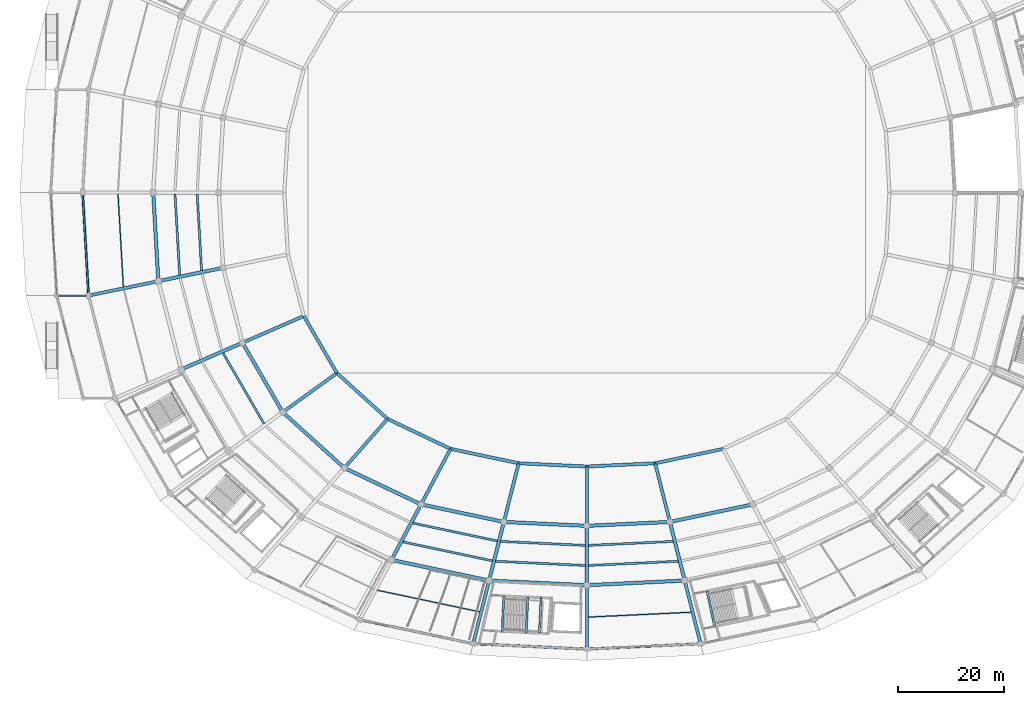
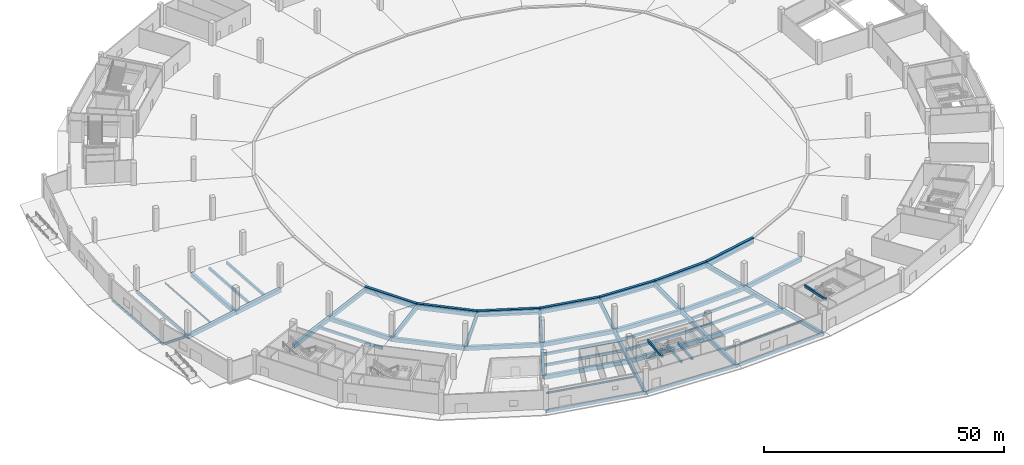
# One storey, part 2 of 48: 64 beams.
"""IFC4 building model written with IfcOpenShell, lengths in metres."""

from ifc_helpers import new_model, si_unit, direction, frame, origin, origin_2d, place, context, subcontext, project, spatial, rectangle, i_section, extrude, material, material_profile, profile_set, type_object, element, save


model = new_model("IFC4")

# Units and contexts
model_context = context("Model", 3, precision=1e-05, world=origin(), true_north=direction((0.0, 1.0)))
body_context = subcontext(model_context, "Body", "Model", "MODEL_VIEW")
ifc_project = project(units=[si_unit("LENGTHUNIT", "METRE"), si_unit("AREAUNIT", "SQUARE_METRE"), si_unit("VOLUMEUNIT", "CUBIC_METRE"), si_unit("PLANEANGLEUNIT", "RADIAN"), si_unit("MASSUNIT", "GRAM", prefix="KILO")], contexts=[model_context])

# Site, building, storey
site_placement = place(None, origin())
site = spatial("IfcSite", under=ifc_project, at=site_placement, CompositionType="ELEMENT")
building_placement = place(site_placement, origin())
building = spatial("IfcBuilding", under=site, at=building_placement, Name="Kazemori Nagisa Stadium", CompositionType="ELEMENT")
storey_placement = place(building_placement, origin())
storey = spatial("IfcBuildingStorey", under=building, at=storey_placement, Name="L00", CompositionType="ELEMENT", Elevation=0.0)

# Beams
ifc_material_1 = material(Name="Steel SN490B", Category="steel")
ifc_material_profile_1 = material_profile(ifc_material_1, i_section(OverallWidth=0.300048828125, OverallDepth=0.587890625, WebThickness=0.011962890625, FlangeThickness=0.02001953125, FilletRadius=0.012939453125, at=origin_2d()), Name="H-588x300x12x20")
ifc_profile_set_1 = profile_set([ifc_material_profile_1], Name="Steel SN490B")
beam_type_1 = type_object("IfcBeamType", Name="Beam_BG-H588", PredefinedType="BEAM", material=ifc_profile_set_1)
beam_1_placement = place(storey_placement, frame((29.119140625, 82.602294921875, -0.593994140625), z_axis=(-1.0, 0.0, 0.0), x_axis=(0.0, -1.0, 0.0)))
element("IfcBeam", 1, at=beam_1_placement, inside=storey, type_object=beam_type_1, Name="Boulevard radial girder BG-H588 L00 R4-16", PredefinedType="BEAM", context=body_context, shape_type="SweptSolid", body=[
    extrude(i_section(OverallWidth=0.300048828125, OverallDepth=0.587890625, WebThickness=0.011962890625, FlangeThickness=0.02001953125, FilletRadius=0.012939453125, at=origin_2d()), origin(), (0.0, 0.0, 1.0), 6.0),
])
ifc_material_2 = material(Name="Concrete C40/50 (Fc42)", Category="concrete")
ifc_material_profile_2 = material_profile(ifc_material_2, rectangle(XDim=0.39990234375, YDim=0.60009765625, at=origin_2d()), Name="RC-BM-400x600")
ifc_profile_set_2 = profile_set([ifc_material_profile_2], Name="Concrete C40/50 (Fc42)")
beam_type_2 = type_object("IfcBeamType", Name="Beam_BG-LND400X600", PredefinedType="BEAM", material=ifc_profile_set_2)
for number, where, z_axis, x_axis, name in (
    (2, (111.877685546875, 25.81396484375, 2.389892578125), (-0.047220656191, -0.998884482625, 0.0), (0.998884482625, -0.047220656191, 0.0), "Core stair mid-landing girder ST12-L00-1"),
    (3, (114.375, 25.69580078125, 2.389892578125), (-0.047220656191, -0.998884482625, 0.0), (0.998884482625, -0.047220656191, 0.0), "Core stair mid-landing girder ST12-L00-2"),
    (4, (107.352783203125, 26.02783203125, 5.199951171875), (-0.047220656191, -0.998884482625, 0.0), (0.998884482625, -0.047220656191, 0.0), "Core stair arrival header girder ST12-L00"),
):
    element("IfcBeam", number, at=place(storey_placement, frame(where, z_axis=z_axis, x_axis=x_axis)), inside=storey, type_object=beam_type_2, Name=name, PredefinedType="BEAM", context=body_context, shape_type="SweptSolid", body=[
        extrude(rectangle(XDim=0.39990234375, YDim=0.60009765625, at=origin_2d()), origin(), (0.0, 0.0, 1.0), 6.70068359375),
    ])
beam_2_placement = place(storey_placement, frame((145.652587890625, 26.9404296875, 5.199951171875), z_axis=(0.206997403527, -0.978341491982, 0.0), x_axis=(0.978341491982, 0.206997403527, 0.0)))
element("IfcBeam", 5, at=beam_2_placement, inside=storey, type_object=beam_type_2, Name="Core stair arrival header girder ST06-L00", PredefinedType="BEAM", context=body_context, shape_type="SweptSolid", body=[
    extrude(rectangle(XDim=0.39990234375, YDim=0.60009765625, at=origin_2d()), origin(), (0.0, 0.0, 1.0), 6.831298828125),
])
ifc_material_profile_3 = material_profile(ifc_material_2, rectangle(XDim=0.60009765625, YDim=0.949951171875, at=origin_2d()), Name="RC-BM-600x950")
ifc_profile_set_3 = profile_set([ifc_material_profile_3], Name="Concrete C40/50 (Fc42)")
beam_type_3 = type_object("IfcBeamType", Name="Beam_BG-RC600X950", PredefinedType="BEAM", material=ifc_profile_set_3)
beam_3_placement = place(storey_placement, frame((69.6689453125, 78.750244140625, -0.77490234375), z_axis=(0.501625475419, -0.865084898961, 0.0), x_axis=(0.865084898961, 0.501625475419, 0.0)))
element("IfcBeam", 6, at=beam_3_placement, inside=storey, type_object=beam_type_3, Name="Ring girder BG-RC600X950 L00 R0-17", PredefinedType="BEAM", context=body_context, shape_type="SweptSolid", body=[
    extrude(rectangle(XDim=0.60009765625, YDim=0.949951171875, at=origin_2d()), origin(), (0.0, 0.0, 1.0), 12.427490234375),
])
beam_4_placement = place(storey_placement, frame((75.90283203125, 67.99951171875, -0.77490234375), z_axis=(0.741338850776, -0.67113091743, 0.0), x_axis=(0.67113091743, 0.741338850776, 0.0)))
element("IfcBeam", 7, at=beam_4_placement, inside=storey, type_object=beam_type_3, Name="Ring girder BG-RC600X950 L00 R0-18", PredefinedType="BEAM", context=body_context, shape_type="SweptSolid", body=[
    extrude(rectangle(XDim=0.60009765625, YDim=0.949951171875, at=origin_2d()), origin(), (0.0, 0.0, 1.0), 12.866455078125),
])
beam_5_placement = place(storey_placement, frame((85.441162109375, 59.364501953125, -0.77490234375), z_axis=(0.903219207247, -0.429179523812, 0.0), x_axis=(0.429179523812, 0.903219207247, 0.0)))
element("IfcBeam", 8, at=beam_5_placement, inside=storey, type_object=beam_type_3, Name="Ring girder BG-RC600X950 L00 R0-19", PredefinedType="BEAM", context=body_context, shape_type="SweptSolid", body=[
    extrude(rectangle(XDim=0.60009765625, YDim=0.949951171875, at=origin_2d()), origin(), (0.0, 0.0, 1.0), 13.1484375),
])
beam_6_placement = place(storey_placement, frame((97.317138671875, 53.721435546875, -0.77490234375), z_axis=(0.978343611705, -0.206987384729, 0.0), x_axis=(0.206987384729, 0.978343611705, 0.0)))
element("IfcBeam", 9, at=beam_6_placement, inside=storey, type_object=beam_type_3, Name="Ring girder BG-RC600X950 L00 R0-20", PredefinedType="BEAM", context=body_context, shape_type="SweptSolid", body=[
    extrude(rectangle(XDim=0.60009765625, YDim=0.949951171875, at=origin_2d()), origin(), (0.0, 0.0, 1.0), 13.110107421875),
])
for number, where, z_axis, x_axis, name in (
    (10, (110.143310546875, 51.0078125, -0.77490234375), (0.998884003033, -0.047230800166, 0.0), (0.047230800166, 0.998884003033, 0.0), "Ring girder BG-RC600X950 L00 R0-21"),
    (11, (123.0, 50.39990234375, -0.77490234375), (0.998884003033, 0.047230800166, 0.0), (-0.047230800166, 0.998884003033, 0.0), "Ring girder BG-RC600X950 L00 R0-22"),
):
    element("IfcBeam", number, at=place(storey_placement, frame(where, z_axis=z_axis, x_axis=x_axis)), inside=storey, type_object=beam_type_3, Name=name, PredefinedType="BEAM", context=body_context, shape_type="SweptSolid", body=[
        extrude(rectangle(XDim=0.60009765625, YDim=0.949951171875, at=origin_2d()), origin(), (0.0, 0.0, 1.0), 12.87109375),
    ])
beam_7_placement = place(storey_placement, frame((135.856689453125, 51.0078125, -0.77490234375), z_axis=(0.978343611705, 0.206987384729, 0.0), x_axis=(-0.206987384729, 0.978343611705, 0.0)))
element("IfcBeam", 12, at=beam_7_placement, inside=storey, type_object=beam_type_3, Name="Ring girder BG-RC600X950 L00 R0-23", PredefinedType="BEAM", context=body_context, shape_type="SweptSolid", body=[
    extrude(rectangle(XDim=0.60009765625, YDim=0.949951171875, at=origin_2d()), origin(), (0.0, 0.0, 1.0), 13.110107421875),
])
beam_8_placement = place(storey_placement, frame((69.6689453125, 78.750244140625, -0.77490234375), z_axis=(-0.916678864185, -0.399624648835, 0.0), x_axis=(0.399624648835, -0.916678864185, 0.0)))
element("IfcBeam", 13, at=beam_8_placement, inside=storey, type_object=beam_type_3, Name="Radial girder BG-RC600X950 L00 R0-R1-17", PredefinedType="BEAM", context=body_context, shape_type="SweptSolid", body=[
    extrude(rectangle(XDim=0.60009765625, YDim=0.949951171875, at=origin_2d()), origin(), (0.0, 0.0, 1.0), 12.605224609375),
])
beam_9_placement = place(storey_placement, frame((75.90283203125, 67.99951171875, -0.77490234375), z_axis=(-0.810787144242, -0.58534110289, 0.0), x_axis=(0.58534110289, -0.810787144242, 0.0)))
element("IfcBeam", 14, at=beam_9_placement, inside=storey, type_object=beam_type_3, Name="Radial girder BG-RC600X950 L00 R0-R1-18", PredefinedType="BEAM", context=body_context, shape_type="SweptSolid", body=[
    extrude(rectangle(XDim=0.60009765625, YDim=0.949951171875, at=origin_2d()), origin(), (0.0, 0.0, 1.0), 12.585693359375),
])
beam_10_placement = place(storey_placement, frame((85.441162109375, 59.364501953125, -0.77490234375), z_axis=(-0.66102389667, -0.750364849943, 0.0), x_axis=(0.750364849943, -0.66102389667, 0.0)))
element("IfcBeam", 15, at=beam_10_placement, inside=storey, type_object=beam_type_3, Name="Radial girder BG-RC600X950 L00 R0-R1-19", PredefinedType="BEAM", context=body_context, shape_type="SweptSolid", body=[
    extrude(rectangle(XDim=0.60009765625, YDim=0.949951171875, at=origin_2d()), origin(), (0.0, 0.0, 1.0), 12.310791015625),
])
beam_11_placement = place(storey_placement, frame((97.317138671875, 53.721435546875, -0.77490234375), z_axis=(-0.469654321007, -0.882850394325, 0.0), x_axis=(0.882850394325, -0.469654321007, 0.0)))
element("IfcBeam", 16, at=beam_11_placement, inside=storey, type_object=beam_type_3, Name="Radial girder BG-RC600X950 L00 R0-R1-20", PredefinedType="BEAM", context=body_context, shape_type="SweptSolid", body=[
    extrude(rectangle(XDim=0.60009765625, YDim=0.949951171875, at=origin_2d()), origin(), (0.0, 0.0, 1.0), 11.848388671875),
])
beam_12_placement = place(storey_placement, frame((110.143310546875, 51.0078125, -0.77490234375), z_axis=(-0.244466138833, -0.969657829837, 0.0), x_axis=(0.969657829837, -0.244466138833, 0.0)))
element("IfcBeam", 17, at=beam_12_placement, inside=storey, type_object=beam_type_3, Name="Radial girder BG-RC600X950 L00 R0-R1-21", PredefinedType="BEAM", context=body_context, shape_type="SweptSolid", body=[
    extrude(rectangle(XDim=0.60009765625, YDim=0.949951171875, at=origin_2d()), origin(), (0.0, 0.0, 1.0), 11.393798828125),
])
beam_13_placement = place(storey_placement, frame((123.0, 50.39990234375, -0.77490234375), z_axis=(0.0, -1.0, 0.0), x_axis=(1.0, 0.0, 0.0)))
element("IfcBeam", 18, at=beam_13_placement, inside=storey, type_object=beam_type_3, Name="Radial girder BG-RC600X950 L00 R0-R1-22", PredefinedType="BEAM", context=body_context, shape_type="SweptSolid", body=[
    extrude(rectangle(XDim=0.60009765625, YDim=0.949951171875, at=origin_2d()), origin(), (0.0, 0.0, 1.0), 11.179931640625),
])
beam_14_placement = place(storey_placement, frame((135.856689453125, 51.0078125, -0.77490234375), z_axis=(0.244466138833, -0.969657829837, 0.0), x_axis=(0.969657829837, 0.244466138833, 0.0)))
element("IfcBeam", 19, at=beam_14_placement, inside=storey, type_object=beam_type_3, Name="Radial girder BG-RC600X950 L00 R0-R1-23", PredefinedType="BEAM", context=body_context, shape_type="SweptSolid", body=[
    extrude(rectangle(XDim=0.60009765625, YDim=0.949951171875, at=origin_2d()), origin(), (0.0, 0.0, 1.0), 11.393798828125),
])
beam_15_placement = place(storey_placement, frame((42.262451171875, 85.31787109375, -0.77490234375), z_axis=(-0.979315516463, -0.202339119339, 0.0), x_axis=(0.202339119339, -0.979315516463, 0.0)))
element("IfcBeam", 20, at=beam_15_placement, inside=storey, type_object=beam_type_3, Name="Radial girder BG-RC600X950 L00 R2-R3-16", PredefinedType="BEAM", context=body_context, shape_type="SweptSolid", body=[
    extrude(rectangle(XDim=0.60009765625, YDim=0.949951171875, at=origin_2d()), origin(), (0.0, 0.0, 1.0), 13.4208984375),
])
beam_16_placement = place(storey_placement, frame((104.572265625, 28.911376953125, -0.77490234375), z_axis=(-0.244487324834, -0.969652488263, 0.0), x_axis=(0.969652488263, -0.244487324834, 0.0)))
element("IfcBeam", 21, at=beam_16_placement, inside=storey, type_object=beam_type_3, Name="Radial girder BG-RC600X950 L00 R2-R3-21", PredefinedType="BEAM", context=body_context, shape_type="SweptSolid", body=[
    extrude(rectangle(XDim=0.60009765625, YDim=0.949951171875, at=origin_2d()), origin(), (0.0, 0.0, 1.0), 12.2705078125),
])
beam_17_placement = place(storey_placement, frame((123.0, 28.0400390625, -0.77490234375), z_axis=(0.0, -1.0, 0.0), x_axis=(1.0, 0.0, 0.0)))
element("IfcBeam", 22, at=beam_17_placement, inside=storey, type_object=beam_type_3, Name="Radial girder BG-RC600X950 L00 R2-R3-22", PredefinedType="BEAM", context=body_context, shape_type="SweptSolid", body=[
    extrude(rectangle(XDim=0.60009765625, YDim=0.949951171875, at=origin_2d()), origin(), (0.0, 0.0, 1.0), 12.0400390625),
])
beam_18_placement = place(storey_placement, frame((141.427734375, 28.911376953125, -0.77490234375), z_axis=(0.244487324834, -0.969652488263, 0.0), x_axis=(0.969652488263, 0.244487324834, 0.0)))
element("IfcBeam", 23, at=beam_18_placement, inside=storey, type_object=beam_type_3, Name="Radial girder BG-RC600X950 L00 R2-R3-23", PredefinedType="BEAM", context=body_context, shape_type="SweptSolid", body=[
    extrude(rectangle(XDim=0.60009765625, YDim=0.949951171875, at=origin_2d()), origin(), (0.0, 0.0, 1.0), 12.2705078125),
])
beam_19_placement = place(storey_placement, frame((69.6689453125, 78.750244140625, -0.199951171875), z_axis=(0.501625475419, -0.865084898961, 0.0), x_axis=(0.865084898961, 0.501625475419, 0.0)))
element("IfcBeam", 24, at=beam_19_placement, inside=storey, type_object=beam_type_3, Name="Lower tier front ring beam 17", PredefinedType="BEAM", context=body_context, shape_type="SweptSolid", body=[
    extrude(rectangle(XDim=0.60009765625, YDim=0.949951171875, at=origin_2d()), origin(), (0.0, 0.0, 1.0), 12.427490234375),
])
beam_20_placement = place(storey_placement, frame((75.90283203125, 67.99951171875, -0.199951171875), z_axis=(0.741338850776, -0.67113091743, 0.0), x_axis=(0.67113091743, 0.741338850776, 0.0)))
element("IfcBeam", 25, at=beam_20_placement, inside=storey, type_object=beam_type_3, Name="Lower tier front ring beam 18", PredefinedType="BEAM", context=body_context, shape_type="SweptSolid", body=[
    extrude(rectangle(XDim=0.60009765625, YDim=0.949951171875, at=origin_2d()), origin(), (0.0, 0.0, 1.0), 12.866455078125),
])
beam_21_placement = place(storey_placement, frame((85.441162109375, 59.364501953125, -0.199951171875), z_axis=(0.903219207247, -0.429179523812, 0.0), x_axis=(0.429179523812, 0.903219207247, 0.0)))
element("IfcBeam", 26, at=beam_21_placement, inside=storey, type_object=beam_type_3, Name="Lower tier front ring beam 19", PredefinedType="BEAM", context=body_context, shape_type="SweptSolid", body=[
    extrude(rectangle(XDim=0.60009765625, YDim=0.949951171875, at=origin_2d()), origin(), (0.0, 0.0, 1.0), 13.1484375),
])
beam_22_placement = place(storey_placement, frame((97.317138671875, 53.721435546875, -0.199951171875), z_axis=(0.978343611705, -0.206987384729, 0.0), x_axis=(0.206987384729, 0.978343611705, 0.0)))
element("IfcBeam", 27, at=beam_22_placement, inside=storey, type_object=beam_type_3, Name="Lower tier front ring beam 20", PredefinedType="BEAM", context=body_context, shape_type="SweptSolid", body=[
    extrude(rectangle(XDim=0.60009765625, YDim=0.949951171875, at=origin_2d()), origin(), (0.0, 0.0, 1.0), 13.110107421875),
])
for number, where, z_axis, x_axis, name in (
    (28, (110.143310546875, 51.0078125, -0.199951171875), (0.998884003033, -0.047230800166, 0.0), (0.047230800166, 0.998884003033, 0.0), "Lower tier front ring beam 21"),
    (29, (123.0, 50.39990234375, -0.199951171875), (0.998884003033, 0.047230800166, 0.0), (-0.047230800166, 0.998884003033, 0.0), "Lower tier front ring beam 22"),
):
    element("IfcBeam", number, at=place(storey_placement, frame(where, z_axis=z_axis, x_axis=x_axis)), inside=storey, type_object=beam_type_3, Name=name, PredefinedType="BEAM", context=body_context, shape_type="SweptSolid", body=[
        extrude(rectangle(XDim=0.60009765625, YDim=0.949951171875, at=origin_2d()), origin(), (0.0, 0.0, 1.0), 12.87109375),
    ])
beam_23_placement = place(storey_placement, frame((135.856689453125, 51.0078125, -0.199951171875), z_axis=(0.978343611705, 0.206987384729, 0.0), x_axis=(-0.206987384729, 0.978343611705, 0.0)))
element("IfcBeam", 30, at=beam_23_placement, inside=storey, type_object=beam_type_3, Name="Lower tier front ring beam 23", PredefinedType="BEAM", context=body_context, shape_type="SweptSolid", body=[
    extrude(rectangle(XDim=0.60009765625, YDim=0.949951171875, at=origin_2d()), origin(), (0.0, 0.0, 1.0), 13.110107421875),
])
ifc_material_profile_4 = material_profile(ifc_material_2, rectangle(XDim=0.64990234375, YDim=1.050048828125, at=origin_2d()), Name="RC-BM-650x1050")
ifc_profile_set_4 = profile_set([ifc_material_profile_4], Name="Concrete C40/50 (Fc42)")
beam_type_4 = type_object("IfcBeamType", Name="Beam_BG-RC650X1050", PredefinedType="BEAM", material=ifc_profile_set_4)
beam_24_placement = place(storey_placement, frame((58.114013671875, 73.712890625, -0.824951171875), z_axis=(0.501613453924, -0.865091869597, 0.0), x_axis=(0.865091869597, 0.501613453924, 0.0)))
element("IfcBeam", 31, at=beam_24_placement, inside=storey, type_object=beam_type_4, Name="Ring girder BG-RC650X1050 L00 R1-17", PredefinedType="BEAM", context=body_context, shape_type="SweptSolid", body=[
    extrude(rectangle(XDim=0.64990234375, YDim=1.050048828125, at=origin_2d()), origin(), (0.0, 0.0, 1.0), 15.1201171875),
])
beam_25_placement = place(storey_placement, frame((65.698486328125, 60.632568359375, -0.824951171875), z_axis=(0.741349160152, -0.6711195294, 0.0), x_axis=(0.6711195294, 0.741349160152, 0.0)))
element("IfcBeam", 32, at=beam_25_placement, inside=storey, type_object=beam_type_4, Name="Ring girder BG-RC650X1050 L00 R1-18", PredefinedType="BEAM", context=body_context, shape_type="SweptSolid", body=[
    extrude(rectangle(XDim=0.64990234375, YDim=1.050048828125, at=origin_2d()), origin(), (0.0, 0.0, 1.0), 15.65380859375),
])
beam_26_placement = place(storey_placement, frame((77.303466796875, 50.126953125, -0.824951171875), z_axis=(0.903211989129, -0.429194714196, 0.0), x_axis=(0.429194714196, 0.903211989129, 0.0)))
element("IfcBeam", 33, at=beam_26_placement, inside=storey, type_object=beam_type_4, Name="Ring girder BG-RC650X1050 L00 R1-19", PredefinedType="BEAM", context=body_context, shape_type="SweptSolid", body=[
    extrude(rectangle(XDim=0.64990234375, YDim=1.050048828125, at=origin_2d()), origin(), (0.0, 0.0, 1.0), 15.997314453125),
])
beam_27_placement = place(storey_placement, frame((91.75244140625, 43.260986328125, -0.824951171875), z_axis=(0.978348272746, -0.206965352692, 0.0), x_axis=(0.206965352692, 0.978348272746, 0.0)))
element("IfcBeam", 34, at=beam_27_placement, inside=storey, type_object=beam_type_4, Name="Ring girder BG-RC650X1050 L00 R1-20", PredefinedType="BEAM", context=body_context, shape_type="SweptSolid", body=[
    extrude(rectangle(XDim=0.64990234375, YDim=1.050048828125, at=origin_2d()), origin(), (0.0, 0.0, 1.0), 15.950927734375),
])
for number, where, z_axis, x_axis, name in (
    (35, (107.35791015625, 39.959716796875, -0.824951171875), (0.998883604512, -0.047239227746, 0.0), (0.047239227746, 0.998883604512, 0.0), "Ring girder BG-RC650X1050 L00 R1-21"),
    (36, (123.0, 39.219970703125, -0.824951171875), (0.998883604512, 0.047239227746, 0.0), (-0.047239227746, 0.998883604512, 0.0), "Ring girder BG-RC650X1050 L00 R1-22"),
):
    element("IfcBeam", number, at=place(storey_placement, frame(where, z_axis=z_axis, x_axis=x_axis)), inside=storey, type_object=beam_type_4, Name=name, PredefinedType="BEAM", context=body_context, shape_type="SweptSolid", body=[
        extrude(rectangle(XDim=0.64990234375, YDim=1.050048828125, at=origin_2d()), origin(), (0.0, 0.0, 1.0), 15.65966796875),
    ])
beam_28_placement = place(storey_placement, frame((138.64208984375, 39.959716796875, -0.824951171875), z_axis=(0.978348272746, 0.206965352692, 0.0), x_axis=(-0.206965352692, 0.978348272746, 0.0)))
element("IfcBeam", 37, at=beam_28_placement, inside=storey, type_object=beam_type_4, Name="Ring girder BG-RC650X1050 L00 R1-23", PredefinedType="BEAM", context=body_context, shape_type="SweptSolid", body=[
    extrude(rectangle(XDim=0.64990234375, YDim=1.050048828125, at=origin_2d()), origin(), (0.0, 0.0, 1.0), 15.950927734375),
])
beam_29_placement = place(storey_placement, frame((41.300048828125, 102.0, -0.824951171875), z_axis=(0.057594854854, -0.998340038611, 0.0), x_axis=(0.998340038611, 0.057594854854, 0.0)))
element("IfcBeam", 38, at=beam_29_placement, inside=storey, type_object=beam_type_4, Name="Ring girder BG-RC650X1050 L00 R2-15", PredefinedType="BEAM", context=body_context, shape_type="SweptSolid", body=[
    extrude(rectangle(XDim=0.64990234375, YDim=1.050048828125, at=origin_2d()), origin(), (0.0, 0.0, 1.0), 16.7099609375),
])
beam_30_placement = place(storey_placement, frame((86.18798828125, 32.80078125, -0.824951171875), z_axis=(0.978345149833, -0.206980114499, 0.0), x_axis=(0.206980114499, 0.978345149833, 0.0)))
element("IfcBeam", 39, at=beam_30_placement, inside=storey, type_object=beam_type_4, Name="Ring girder BG-RC650X1050 L00 R2-20", PredefinedType="BEAM", context=body_context, shape_type="SweptSolid", body=[
    extrude(rectangle(XDim=0.64990234375, YDim=1.050048828125, at=origin_2d()), origin(), (0.0, 0.0, 1.0), 18.791259765625),
])
for number, where, z_axis, x_axis, name in (
    (40, (104.572265625, 28.911376953125, -0.824951171875), (0.9988839804, -0.047231278829, 0.0), (0.047231278829, 0.9988839804, 0.0), "Ring girder BG-RC650X1050 L00 R2-21"),
    (41, (123.0, 28.0400390625, -0.824951171875), (0.9988839804, 0.047231278829, 0.0), (-0.047231278829, 0.9988839804, 0.0), "Ring girder BG-RC650X1050 L00 R2-22"),
):
    element("IfcBeam", number, at=place(storey_placement, frame(where, z_axis=z_axis, x_axis=x_axis)), inside=storey, type_object=beam_type_4, Name=name, PredefinedType="BEAM", context=body_context, shape_type="SweptSolid", body=[
        extrude(rectangle(XDim=0.64990234375, YDim=1.050048828125, at=origin_2d()), origin(), (0.0, 0.0, 1.0), 18.4482421875),
    ])
beam_31_placement = place(storey_placement, frame((54.467041015625, 87.839599609375, -0.824951171875), z_axis=(-0.979313861938, -0.202347127025, 0.0), x_axis=(0.202347127025, -0.979313861938, 0.0)))
element("IfcBeam", 42, at=beam_31_placement, inside=storey, type_object=beam_type_4, Name="Radial girder BG-RC650X1050 L00 R1-R2-16", PredefinedType="BEAM", context=body_context, shape_type="SweptSolid", body=[
    extrude(rectangle(XDim=0.64990234375, YDim=1.050048828125, at=origin_2d()), origin(), (0.0, 0.0, 1.0), 12.46240234375),
])
beam_32_placement = place(storey_placement, frame((58.114013671875, 73.712890625, -0.824951171875), z_axis=(-0.916671768981, -0.399640923771, 0.0), x_axis=(0.399640923771, -0.916671768981, 0.0)))
element("IfcBeam", 43, at=beam_32_placement, inside=storey, type_object=beam_type_4, Name="Radial girder BG-RC650X1050 L00 R1-R2-17", PredefinedType="BEAM", context=body_context, shape_type="SweptSolid", body=[
    extrude(rectangle(XDim=0.64990234375, YDim=1.050048828125, at=origin_2d()), origin(), (0.0, 0.0, 1.0), 12.605224609375),
])
beam_33_placement = place(storey_placement, frame((91.75244140625, 43.260986328125, -0.824951171875), z_axis=(-0.469646804203, -0.882854393036, 0.0), x_axis=(0.882854393036, -0.469646804203, 0.0)))
element("IfcBeam", 44, at=beam_33_placement, inside=storey, type_object=beam_type_4, Name="Radial girder BG-RC650X1050 L00 R1-R2-20", PredefinedType="BEAM", context=body_context, shape_type="SweptSolid", body=[
    extrude(rectangle(XDim=0.64990234375, YDim=1.050048828125, at=origin_2d()), origin(), (0.0, 0.0, 1.0), 11.84814453125),
])
beam_34_placement = place(storey_placement, frame((107.35791015625, 39.959716796875, -0.824951171875), z_axis=(-0.244481205955, -0.969654031052, 0.0), x_axis=(0.969654031052, -0.244481205955, 0.0)))
element("IfcBeam", 45, at=beam_34_placement, inside=storey, type_object=beam_type_4, Name="Radial girder BG-RC650X1050 L00 R1-R2-21", PredefinedType="BEAM", context=body_context, shape_type="SweptSolid", body=[
    extrude(rectangle(XDim=0.64990234375, YDim=1.050048828125, at=origin_2d()), origin(), (0.0, 0.0, 1.0), 11.39404296875),
])
beam_35_placement = place(storey_placement, frame((123.0, 39.219970703125, -0.824951171875), z_axis=(0.0, -1.0, 0.0), x_axis=(1.0, 0.0, 0.0)))
element("IfcBeam", 46, at=beam_35_placement, inside=storey, type_object=beam_type_4, Name="Radial girder BG-RC650X1050 L00 R1-R2-22", PredefinedType="BEAM", context=body_context, shape_type="SweptSolid", body=[
    extrude(rectangle(XDim=0.64990234375, YDim=1.050048828125, at=origin_2d()), origin(), (0.0, 0.0, 1.0), 11.179931640625),
])
beam_36_placement = place(storey_placement, frame((138.64208984375, 39.959716796875, -0.824951171875), z_axis=(0.244481205955, -0.969654031052, 0.0), x_axis=(0.969654031052, 0.244481205955, 0.0)))
element("IfcBeam", 47, at=beam_36_placement, inside=storey, type_object=beam_type_4, Name="Radial girder BG-RC650X1050 L00 R1-R2-23", PredefinedType="BEAM", context=body_context, shape_type="SweptSolid", body=[
    extrude(rectangle(XDim=0.64990234375, YDim=1.050048828125, at=origin_2d()), origin(), (0.0, 0.0, 1.0), 11.39404296875),
])
ifc_material_profile_5 = material_profile(ifc_material_1, i_section(OverallWidth=0.199951171875, OverallDepth=0.449951171875, WebThickness=0.009033203125, FlangeThickness=0.013916015625, FilletRadius=0.012939453125, at=origin_2d()), Name="H-450x200x9x14")
ifc_profile_set_5 = profile_set([ifc_material_profile_5], Name="Steel SN490B")
beam_type_5 = type_object("IfcBeamType", Name="Beam_BJ-H450", PredefinedType="JOIST", material=ifc_profile_set_5)
beam_37_placement = place(storey_placement, frame((34.6669921875, 101.70556640625, -0.52490234375), z_axis=(0.057599479831, -0.998339771783, 0.0), x_axis=(0.998339771783, 0.057599479831, 0.0)))
element("IfcBeam", 48, at=beam_37_placement, inside=storey, type_object=beam_type_5, Name="Outer bay joist BJ-H450 L00 B15", PredefinedType="JOIST", context=body_context, shape_type="SweptSolid", body=[
    extrude(i_section(OverallWidth=0.199951171875, OverallDepth=0.449951171875, WebThickness=0.009033203125, FlangeThickness=0.013916015625, FilletRadius=0.012939453125, at=origin_2d()), origin(), (0.0, 0.0, 1.0), 17.47998046875),
])
beam_38_placement = place(storey_placement, frame((83.480224609375, 27.107177734375, -0.52490234375), z_axis=(0.978343969274, -0.206985694639, 0.0), x_axis=(0.206985694639, 0.978343969274, 0.0)))
element("IfcBeam", 49, at=beam_38_placement, inside=storey, type_object=beam_type_5, Name="Outer bay joist BJ-H450 L00 B20", PredefinedType="JOIST", context=body_context, shape_type="SweptSolid", body=[
    extrude(i_section(OverallWidth=0.199951171875, OverallDepth=0.449951171875, WebThickness=0.009033203125, FlangeThickness=0.013916015625, FilletRadius=0.012939453125, at=origin_2d()), origin(), (0.0, 0.0, 1.0), 19.730712890625),
])
beam_39_placement = place(storey_placement, frame((123.294677734375, 22.033935546875, -0.52490234375), z_axis=(0.998884200224, 0.04722662959, 0.0), x_axis=(-0.04722662959, 0.998884200224, 0.0)))
element("IfcBeam", 50, at=beam_39_placement, inside=storey, type_object=beam_type_5, Name="Outer bay joist BJ-H450 L00 B22", PredefinedType="JOIST", context=body_context, shape_type="SweptSolid", body=[
    extrude(i_section(OverallWidth=0.199951171875, OverallDepth=0.449951171875, WebThickness=0.009033203125, FlangeThickness=0.013916015625, FilletRadius=0.012939453125, at=origin_2d()), origin(), (0.0, 0.0, 1.0), 19.35986328125),
])
ifc_material_profile_6 = material_profile(ifc_material_2, rectangle(XDim=0.39990234375, YDim=0.64990234375, at=origin_2d()), Name="RC-BM-400x650")
ifc_profile_set_6 = profile_set([ifc_material_profile_6], Name="Concrete C40/50 (Fc42)")
beam_type_6 = type_object("IfcBeamType", Name="Beam_BJ-RC400X650", PredefinedType="JOIST", material=ifc_profile_set_6)
beam_40_placement = place(storey_placement, frame((49.58203125, 101.70556640625, -0.625), z_axis=(0.057594265016, -0.998340072639, 0.0), x_axis=(0.998340072639, 0.057594265016, 0.0)))
element("IfcBeam", 51, at=beam_40_placement, inside=storey, type_object=beam_type_6, Name="Concourse joist BJ-RC400X650 L00 B15-1", PredefinedType="JOIST", context=body_context, shape_type="SweptSolid", body=[
    extrude(rectangle(XDim=0.39990234375, YDim=0.64990234375, at=origin_2d()), origin(), (0.0, 0.0, 1.0), 14.429443359375),
])
beam_41_placement = place(storey_placement, frame((45.402099609375, 101.70556640625, -0.625), z_axis=(0.057599290514, -0.998339782705, 0.0), x_axis=(0.998339782705, 0.057599290514, 0.0)))
element("IfcBeam", 52, at=beam_41_placement, inside=storey, type_object=beam_type_6, Name="Concourse joist BJ-RC400X650 L00 B15-2", PredefinedType="JOIST", context=body_context, shape_type="SweptSolid", body=[
    extrude(rectangle(XDim=0.39990234375, YDim=0.64990234375, at=origin_2d()), origin(), (0.0, 0.0, 1.0), 15.284423828125),
])
beam_42_placement = place(storey_placement, frame((54.43994140625, 71.79150390625, -0.625), z_axis=(0.501607199617, -0.865095496054, 0.0), x_axis=(0.865095496054, 0.501607199617, 0.0)))
element("IfcBeam", 53, at=beam_42_placement, inside=storey, type_object=beam_type_6, Name="Concourse joist BJ-RC400X650 L00 B17-1", PredefinedType="JOIST", context=body_context, shape_type="SweptSolid", body=[
    extrude(rectangle(XDim=0.39990234375, YDim=0.64990234375, at=origin_2d()), origin(), (0.0, 0.0, 1.0), 15.420654296875),
])
beam_43_placement = place(storey_placement, frame((90.200439453125, 39.739990234375, -0.625), z_axis=(0.978345737153, -0.206977338361, 0.0), x_axis=(0.206977338361, 0.978345737153, 0.0)))
element("IfcBeam", 54, at=beam_43_placement, inside=storey, type_object=beam_type_6, Name="Concourse joist BJ-RC400X650 L00 B20-1", PredefinedType="JOIST", context=body_context, shape_type="SweptSolid", body=[
    extrude(rectangle(XDim=0.39990234375, YDim=0.64990234375, at=origin_2d()), origin(), (0.0, 0.0, 1.0), 16.30029296875),
])
beam_44_placement = place(storey_placement, frame((88.317138671875, 36.19970703125, -0.625), z_axis=(0.97834325925, -0.206989050628, 0.0), x_axis=(0.206989050628, 0.97834325925, 0.0)))
element("IfcBeam", 55, at=beam_44_placement, inside=storey, type_object=beam_type_6, Name="Concourse joist BJ-RC400X650 L00 B20-2", PredefinedType="JOIST", context=body_context, shape_type="SweptSolid", body=[
    extrude(rectangle(XDim=0.39990234375, YDim=0.64990234375, at=origin_2d()), origin(), (0.0, 0.0, 1.0), 17.26171875),
])
beam_45_placement = place(storey_placement, frame((106.73095703125, 36.291259765625, -0.625), z_axis=(0.998883867028, -0.047233676462, 0.0), x_axis=(0.047233676462, 0.998883867028, 0.0)))
element("IfcBeam", 56, at=beam_45_placement, inside=storey, type_object=beam_type_6, Name="Concourse joist BJ-RC400X650 L00 B21-1", PredefinedType="JOIST", context=body_context, shape_type="SweptSolid", body=[
    extrude(rectangle(XDim=0.39990234375, YDim=0.64990234375, at=origin_2d()), origin(), (0.0, 0.0, 1.0), 15.9921875),
])
beam_46_placement = place(storey_placement, frame((105.788330078125, 32.5517578125, -0.625), z_axis=(0.998884256715, -0.047225434754, 0.0), x_axis=(0.047225434754, 0.998884256715, 0.0)))
element("IfcBeam", 57, at=beam_46_placement, inside=storey, type_object=beam_type_6, Name="Concourse joist BJ-RC400X650 L00 B21-2", PredefinedType="JOIST", context=body_context, shape_type="SweptSolid", body=[
    extrude(rectangle(XDim=0.39990234375, YDim=0.64990234375, at=origin_2d()), origin(), (0.0, 0.0, 1.0), 16.935791015625),
])
beam_47_placement = place(storey_placement, frame((123.294677734375, 35.535888671875, -0.625), z_axis=(0.998883867028, 0.047233676462, 0.0), x_axis=(-0.047233676462, 0.998883867028, 0.0)))
element("IfcBeam", 58, at=beam_47_placement, inside=storey, type_object=beam_type_6, Name="Concourse joist BJ-RC400X650 L00 B22-1", PredefinedType="JOIST", context=body_context, shape_type="SweptSolid", body=[
    extrude(rectangle(XDim=0.39990234375, YDim=0.64990234375, at=origin_2d()), origin(), (0.0, 0.0, 1.0), 15.9921875),
])
beam_48_placement = place(storey_placement, frame((123.294677734375, 31.751953125, -0.625), z_axis=(0.998884256715, 0.047225434754, 0.0), x_axis=(-0.047225434754, 0.998884256715, 0.0)))
element("IfcBeam", 59, at=beam_48_placement, inside=storey, type_object=beam_type_6, Name="Concourse joist BJ-RC400X650 L00 B22-2", PredefinedType="JOIST", context=body_context, shape_type="SweptSolid", body=[
    extrude(rectangle(XDim=0.39990234375, YDim=0.64990234375, at=origin_2d()), origin(), (0.0, 0.0, 1.0), 16.935791015625),
])
ifc_material_profile_7 = material_profile(ifc_material_1, i_section(OverallWidth=0.199951171875, OverallDepth=0.60009765625, WebThickness=0.010986328125, FlangeThickness=0.01708984375, FilletRadius=0.012939453125, at=origin_2d()), Name="H-600x200x11x17")
ifc_profile_set_7 = profile_set([ifc_material_profile_7], Name="Steel SN490B")
beam_type_7 = type_object("IfcBeamType", Name="Beam_BS-H600", PredefinedType="SPANDREL", material=ifc_profile_set_7)
beam_49_placement = place(storey_placement, frame((22.0, 102.0, -0.593994140625), z_axis=(0.057598702622, -0.998339816624, 0.0), x_axis=(0.998339816624, 0.057598702622, 0.0)))
element("IfcBeam", 60, at=beam_49_placement, inside=storey, type_object=beam_type_7, Name="Boulevard edge beam BS-H600 L00 R4-15", PredefinedType="SPANDREL", context=body_context, shape_type="SweptSolid", body=[
    extrude(i_section(OverallWidth=0.199951171875, OverallDepth=0.60009765625, WebThickness=0.010986328125, FlangeThickness=0.01708984375, FilletRadius=0.012939453125, at=origin_2d()), origin(), (0.0, 0.0, 1.0), 19.429931640625),
])
ifc_material_profile_8 = material_profile(ifc_material_2, rectangle(XDim=0.35009765625, YDim=0.699951171875, at=origin_2d()), Name="RC-SP-350x700")
ifc_profile_set_8 = profile_set([ifc_material_profile_8], Name="Concrete C40/50 (Fc42)")
beam_type_8 = type_object("IfcBeamType", Name="Beam_BS-RC350X700", PredefinedType="SPANDREL", material=ifc_profile_set_8)
beam_50_placement = place(storey_placement, frame((28.0, 102.0, -0.64990234375), z_axis=(0.057598702622, -0.998339816624, 0.0), x_axis=(0.998339816624, 0.057598702622, 0.0)))
element("IfcBeam", 61, at=beam_50_placement, inside=storey, type_object=beam_type_8, Name="Ring girder BS-RC350X700 L00 R3-15", PredefinedType="SPANDREL", context=body_context, shape_type="SweptSolid", body=[
    extrude(rectangle(XDim=0.35009765625, YDim=0.699951171875, at=origin_2d()), origin(), (0.0, 0.0, 1.0), 19.429931640625),
])
beam_51_placement = place(storey_placement, frame((80.1953125, 21.53564453125, -0.64990234375), z_axis=(0.97834587432, -0.206976689994, 0.0), x_axis=(0.206976689994, 0.97834587432, 0.0)))
element("IfcBeam", 62, at=beam_51_placement, inside=storey, type_object=beam_type_8, Name="Ring girder BS-RC350X700 L00 R3-20", PredefinedType="SPANDREL", context=body_context, shape_type="SweptSolid", body=[
    extrude(rectangle(XDim=0.35009765625, YDim=0.699951171875, at=origin_2d()), origin(), (0.0, 0.0, 1.0), 21.85009765625),
])
for number, where, z_axis, x_axis, name in (
    (63, (101.572265625, 17.01318359375, -0.64990234375), (0.998883994571, -0.047230979144, 0.0), (0.047230979144, 0.998883994571, 0.0), "Ring girder BS-RC350X700 L00 R3-21"),
    (64, (123.0, 16.0, -0.64990234375), (0.998883994571, 0.047230979144, 0.0), (-0.047230979144, 0.998883994571, 0.0), "Ring girder BS-RC350X700 L00 R3-22"),
):
    element("IfcBeam", number, at=place(storey_placement, frame(where, z_axis=z_axis, x_axis=x_axis)), inside=storey, type_object=beam_type_8, Name=name, PredefinedType="SPANDREL", context=body_context, shape_type="SweptSolid", body=[
        extrude(rectangle(XDim=0.35009765625, YDim=0.699951171875, at=origin_2d()), origin(), (0.0, 0.0, 1.0), 21.45166015625),
    ])

save(model, "model.ifc")
